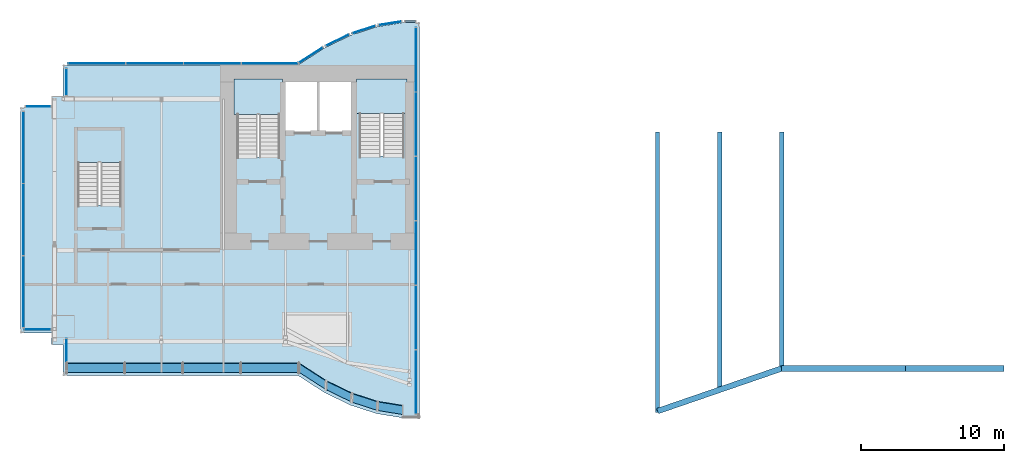
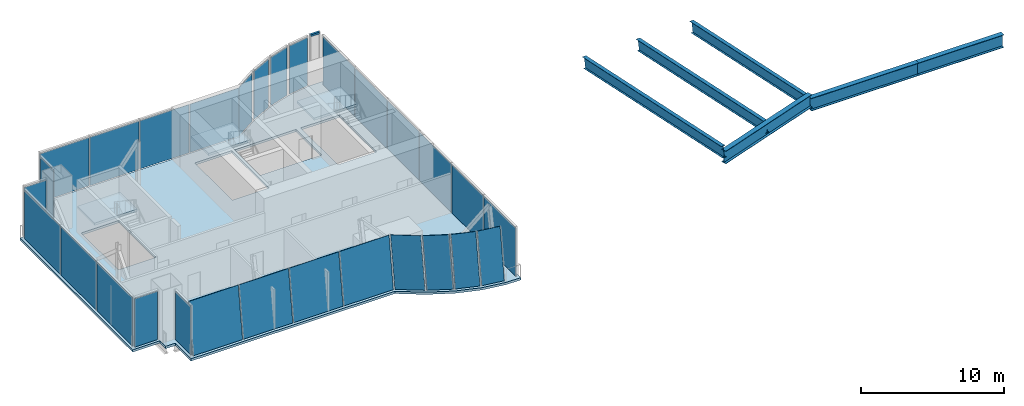
# One storey, part 3 of 7: 29 plates, 6 beams, 4 slabs, 1 member, 20 elements without a shape of their own.
"""IFC4 building model written with IfcOpenShell, lengths in metres."""

from ifc_helpers import new_model, si_unit, direction, frame, origin, origin_2d, place, context, subcontext, project, spatial, polyline, rectangle, i_section, outline, extrude, material, layer, layer_set, material_profile, profile_set, type_object, element, aggregate, save


model = new_model("IFC4")

# Units and contexts
model_context = context("Model", 3, precision=1e-05, world=origin(), true_north=direction((0.0, 1.0)))
body_context = subcontext(model_context, "Body", "Model", "MODEL_VIEW")
ifc_project = project(units=[si_unit("LENGTHUNIT", "METRE"), si_unit("AREAUNIT", "SQUARE_METRE"), si_unit("VOLUMEUNIT", "CUBIC_METRE"), si_unit("PLANEANGLEUNIT", "RADIAN"), si_unit("MASSUNIT", "GRAM", prefix="KILO")], contexts=[model_context])

# Site, building, storey
site_placement = place(None, origin())
site = spatial("IfcSite", under=ifc_project, at=site_placement, CompositionType="ELEMENT")
building_placement = place(site_placement, origin())
building = spatial("IfcBuilding", under=site, at=building_placement, Name="Bicima Exchange Tower", CompositionType="ELEMENT")
storey_placement = place(building_placement, frame((0.0, 0.0, 361.39990234375)))
storey = spatial("IfcBuildingStorey", under=building, at=storey_placement, Name="L81", CompositionType="ELEMENT", Elevation=361.39990234375)

# Curtain wall, member
ifc_material_1 = material(Name="Anodised bronze aluminium", Category="aluminium")
curtain_wall_type = type_object("IfcCurtainWallType", Name="Crown glass wall", PredefinedType="NOTDEFINED", material=ifc_material_1)
curtain_wall_1_placement = place(storey_placement, origin())
curtain_wall_1 = element("IfcCurtainWall", 1, at=curtain_wall_1_placement, inside=storey, type_object=curtain_wall_type, Name="Crown glass wall L81 run 3", PredefinedType="NOTDEFINED")
ifc_material_profile_1 = material_profile(ifc_material_1, rectangle(XDim=0.179931640625, YDim=0.159912109375, at=origin_2d()))
ifc_profile_set_1 = profile_set([ifc_material_profile_1], Name="Anodised bronze aluminium")
member_type = type_object("IfcMemberType", Name="Crown glass wall transom 160 x 180", PredefinedType="USERDEFINED", material=ifc_profile_set_1)
member_placement = place(storey_placement, frame((-8.2900390625, 3.052978515625, 4.22021484375), z_axis=(-1.0, 0.0, 0.0), x_axis=(0.0, -1.0, 0.0)))
member = element("IfcMember", 2, at=member_placement, type_object=member_type, Name="Crown glass wall transom 1.1", ObjectType="TRANSOM", PredefinedType="USERDEFINED", context=body_context, shape_type="SweptSolid", body=[
    extrude(rectangle(XDim=0.179931640625, YDim=0.159912109375, at=origin_2d()), origin(), (0.0, 0.0, 1.0), 0.708251953125),
])
aggregate(curtain_wall_1, [member])

# Beams
ifc_material_2 = material(Name="Steel ASTM A992 Gr 50", Category="steel")
ifc_material_profile_2 = material_profile(ifc_material_2, i_section(OverallWidth=0.4013671875, OverallDepth=1.089599609375, WebThickness=0.01806640625, FlangeThickness=0.031005859375, at=origin_2d()))
ifc_profile_set_2 = profile_set([ifc_material_profile_2], Name="Steel ASTM A992 Gr 50")
beam_type_1 = type_object("IfcBeamType", Name="Roof high beam W44x230", PredefinedType="BEAM", material=ifc_profile_set_2)
beam_1_placement = place(storey_placement, frame((8.699951171875, -24.291015625, 4.22705078125), z_axis=(0.945674616091, 0.32511462668, 0.0), x_axis=(-0.32511462668, 0.945674616091, 0.0)))
element("IfcBeam", 3, at=beam_1_placement, inside=storey, type_object=beam_type_1, Name="Roof high beam", PredefinedType="BEAM", context=body_context, shape_type="SweptSolid", body=[
    extrude(i_section(OverallWidth=0.4013671875, OverallDepth=1.089599609375, WebThickness=0.01806640625, FlangeThickness=0.031005859375, at=origin_2d()), origin(), (0.0, 0.0, 1.0), 9.19970703125),
])
beam_2_placement = place(storey_placement, frame((17.39990234375, -21.300048828125, 3.9091796875), z_axis=(1.0, 0.0, 0.0), x_axis=(0.0, 1.0, 0.0)))
element("IfcBeam", 4, at=beam_2_placement, inside=storey, type_object=beam_type_1, Name="Roof high beam", PredefinedType="BEAM", context=body_context, shape_type="SweptSolid", body=[
    extrude(i_section(OverallWidth=0.4013671875, OverallDepth=1.089599609375, WebThickness=0.01806640625, FlangeThickness=0.031005859375, at=origin_2d()), origin(), (0.0, 0.0, 1.0), 8.7001953125),
])
beam_3_placement = place(storey_placement, frame((26.10009765625, -21.300048828125, 3.9091796875), z_axis=(1.0, 0.0, 0.0), x_axis=(0.0, 1.0, 0.0)))
element("IfcBeam", 5, at=beam_3_placement, inside=storey, type_object=beam_type_1, Name="Roof high beam", PredefinedType="BEAM", context=body_context, shape_type="SweptSolid", body=[
    extrude(i_section(OverallWidth=0.4013671875, OverallDepth=1.089599609375, WebThickness=0.01806640625, FlangeThickness=0.031005859375, at=origin_2d()), origin(), (0.0, 0.0, 1.0), 6.89990234375),
])
ifc_material_profile_3 = material_profile(ifc_material_2, i_section(OverallWidth=0.3046875, OverallDepth=0.904296875, WebThickness=0.01513671875, FlangeThickness=0.02001953125, at=origin_2d()))
ifc_profile_set_3 = profile_set([ifc_material_profile_3], Name="Steel ASTM A992 Gr 50")
beam_type_2 = type_object("IfcBeamType", Name="Roof rafter beam W36x135", PredefinedType="BEAM", material=ifc_profile_set_3)
beam_4_placement = place(storey_placement, frame((8.699951171875, -4.800048828125, 0.494873046875), z_axis=(0.0, -0.978148729709, 0.207906379338), x_axis=(1.0, 0.0, 0.0)))
element("IfcBeam", 6, at=beam_4_placement, inside=storey, type_object=beam_type_2, Name="Roof rafter beam", PredefinedType="BEAM", context=body_context, shape_type="SweptSolid", body=[
    extrude(i_section(OverallWidth=0.3046875, OverallDepth=0.904296875, WebThickness=0.01513671875, FlangeThickness=0.02001953125, at=origin_2d()), origin(), (0.0, 0.0, 1.0), 19.92626953125),
])
beam_5_placement = place(storey_placement, frame((13.050048828125, -4.800048828125, 0.494873046875), z_axis=(0.0, -0.978148495652, 0.207907480516), x_axis=(1.0, 0.0, 0.0)))
element("IfcBeam", 7, at=beam_5_placement, inside=storey, type_object=beam_type_2, Name="Roof rafter beam", PredefinedType="BEAM", context=body_context, shape_type="SweptSolid", body=[
    extrude(i_section(OverallWidth=0.3046875, OverallDepth=0.904296875, WebThickness=0.01513671875, FlangeThickness=0.02001953125, at=origin_2d()), origin(), (0.0, 0.0, 1.0), 18.3974609375),
])
beam_6_placement = place(storey_placement, frame((17.39990234375, -4.800048828125, 0.494873046875), z_axis=(0.0, -0.978148844771, 0.207905837996), x_axis=(1.0, 0.0, 0.0)))
element("IfcBeam", 8, at=beam_6_placement, inside=storey, type_object=beam_type_2, Name="Roof rafter beam", PredefinedType="BEAM", context=body_context, shape_type="SweptSolid", body=[
    extrude(i_section(OverallWidth=0.3046875, OverallDepth=0.904296875, WebThickness=0.01513671875, FlangeThickness=0.02001953125, at=origin_2d()), origin(), (0.0, 0.0, 1.0), 16.86865234375),
])

# Slab
ifc_material_3 = material(Name="Concrete C40/50", Category="concrete")
ifc_layer_1 = layer(ifc_material_3, 0.199951171875)
ifc_layer_set_1 = layer_set([ifc_layer_1], Name="Concrete C40/50")
slab_type_1 = type_object("IfcSlabType", Name="Composite floor slab 200", PredefinedType="FLOOR", material=ifc_layer_set_1)
slab_1_placement = place(storey_placement, frame((0.0, 0.0, -0.199951171875)))
element("IfcSlab", 9, at=slab_1_placement, inside=storey, type_object=slab_type_1, Name="Floor slab", PredefinedType="FLOOR", context=body_context, shape_type="SweptSolid", body=[
    extrude(outline(polyline([(-33.800048828125, -18.802734375), (-36.0, -18.802734375), (-36.0, -3.0), (-33.800048828125, -3.0), (-33.800048828125, -2.199951171875), (-33.0, -2.199951171875), (-33.0, 0.0), (-16.5, 0.0), (-14.666748046875, 1.185302734375), (-12.833251953125, 2.07421875), (-11.0, 2.666748046875), (-9.166748046875, 2.962890625), (-8.0, 2.962890625), (-8.0, -24.765625), (-9.166748046875, -24.765625), (-11.0, -24.469482421875), (-12.833251953125, -23.876708984375), (-14.666748046875, -22.98779296875), (-16.5, -21.802734375), (-33.0, -21.802734375), (-33.0, -19.602783203125), (-33.800048828125, -19.602783203125), (-33.800048828125, -18.802734375)]), holes=[polyline([(-28.925048828125, -4.625), (-31.97509765625, -4.625), (-31.97509765625, -9.824951171875), (-28.925048828125, -9.824951171875), (-28.925048828125, -4.625)]), polyline([(-17.800048828125, -1.199951171875), (-20.800048828125, -1.199951171875), (-20.800048828125, -6.449951171875), (-17.800048828125, -6.449951171875), (-17.800048828125, -1.199951171875)]), polyline([(-9.074951171875, -1.199951171875), (-12.22509765625, -1.199951171875), (-12.22509765625, -6.39990234375), (-9.074951171875, -6.39990234375), (-9.074951171875, -1.199951171875)]), polyline([(-12.60009765625, -1.199951171875), (-15.10009765625, -1.199951171875), (-17.60009765625, -1.199951171875), (-17.60009765625, -4.800048828125), (-15.10009765625, -4.800048828125), (-12.60009765625, -4.800048828125), (-12.60009765625, -1.199951171875)])]), origin(), (0.0, 0.0, 1.0), 0.199951171875),
])

# Curtain wall, plates
curtain_wall_2_placement = place(storey_placement, origin())
curtain_wall_2 = element("IfcCurtainWall", 10, at=curtain_wall_2_placement, inside=storey, type_object=curtain_wall_type, Name="Crown glass wall L81 run 2", PredefinedType="NOTDEFINED")
ifc_material_4 = material(Name="Bronze tinted glass", Category="glass")
ifc_layer_2 = layer(ifc_material_4, 0.035888671875)
ifc_layer_set_2 = layer_set([ifc_layer_2], Name="Bronze tinted glass")
plate_type = type_object("IfcPlateType", Name="Crown glass wall glass panel 36", PredefinedType="CURTAIN_PANEL", material=ifc_layer_set_2)
plate_1_placement = place(storey_placement, frame((-8.22998046875, -22.245849609375, 0.0), z_axis=(0.0, 0.0, 1.0), x_axis=(0.0, 1.0, 0.0)))
plate_1 = element("IfcPlate", 11, at=plate_1_placement, type_object=plate_type, Name="Crown glass wall panel 1.1", PredefinedType="CURTAIN_PANEL", context=body_context, shape_type="SweptSolid", body=[
    extrude(rectangle(XDim=4.459716796875, YDim=0.035888671875, at=origin_2d()), origin(), (0.0, 0.0, 1.0), 4.139892578125),
])
plate_2_placement = place(storey_placement, frame((-8.22998046875, -17.72607421875, 0.0), z_axis=(0.0, 0.0, 1.0), x_axis=(0.0, 1.0, 0.0)))
plate_2 = element("IfcPlate", 12, at=plate_2_placement, type_object=plate_type, Name="Crown glass wall panel 2.1", PredefinedType="CURTAIN_PANEL", context=body_context, shape_type="SweptSolid", body=[
    extrude(rectangle(XDim=4.459716796875, YDim=0.035888671875, at=origin_2d()), origin(), (0.0, 0.0, 1.0), 4.139892578125),
])
plate_3_placement = place(storey_placement, frame((-8.22998046875, -13.206298828125, 0.0), z_axis=(0.0, 0.0, 1.0), x_axis=(0.0, 1.0, 0.0)))
plate_3 = element("IfcPlate", 13, at=plate_3_placement, type_object=plate_type, Name="Crown glass wall panel 3.1", PredefinedType="CURTAIN_PANEL", context=body_context, shape_type="SweptSolid", body=[
    extrude(rectangle(XDim=4.459716796875, YDim=0.035888671875, at=origin_2d()), origin(), (0.0, 0.0, 1.0), 4.139892578125),
])
plate_4_placement = place(storey_placement, frame((-8.22998046875, -8.6865234375, 0.0), z_axis=(0.0, 0.0, 1.0), x_axis=(0.0, 1.0, 0.0)))
plate_4 = element("IfcPlate", 14, at=plate_4_placement, type_object=plate_type, Name="Crown glass wall panel 4.1", PredefinedType="CURTAIN_PANEL", context=body_context, shape_type="SweptSolid", body=[
    extrude(rectangle(XDim=4.459716796875, YDim=0.035888671875, at=origin_2d()), origin(), (0.0, 0.0, 1.0), 4.139892578125),
])
plate_5_placement = place(storey_placement, frame((-8.22998046875, -4.166748046875, 0.0), z_axis=(0.0, 0.0, 1.0), x_axis=(0.0, 1.0, 0.0)))
plate_5 = element("IfcPlate", 15, at=plate_5_placement, type_object=plate_type, Name="Crown glass wall panel 5.1", PredefinedType="CURTAIN_PANEL", context=body_context, shape_type="SweptSolid", body=[
    extrude(rectangle(XDim=4.459716796875, YDim=0.035888671875, at=origin_2d()), origin(), (0.0, 0.0, 1.0), 4.139892578125),
])
plate_6_placement = place(storey_placement, frame((-8.22998046875, 0.35302734375, 0.0), z_axis=(0.0, 0.0, 1.0), x_axis=(0.0, 1.0, 0.0)))
plate_6 = element("IfcPlate", 16, at=plate_6_placement, type_object=plate_type, Name="Crown glass wall panel 6.1", PredefinedType="CURTAIN_PANEL", context=body_context, shape_type="SweptSolid", body=[
    extrude(rectangle(XDim=4.459716796875, YDim=0.035888671875, at=origin_2d()), origin(), (0.0, 0.0, 1.0), 4.139892578125),
])
aggregate(curtain_wall_2, [plate_1, plate_2, plate_3, plate_4, plate_5, plate_6])

# Curtain wall, plate
curtain_wall_3_placement = place(storey_placement, origin())
curtain_wall_3 = element("IfcCurtainWall", 17, at=curtain_wall_3_placement, inside=storey, type_object=curtain_wall_type, Name="Crown glass wall L81 run 4", PredefinedType="NOTDEFINED")
plate_7_placement = place(storey_placement, frame((-10.0537109375, 2.910888671875, 0.0), z_axis=(0.0, 0.0, 1.0), x_axis=(-0.987189786347, -0.159550386184, 0.0)))
plate_7 = element("IfcPlate", 18, at=plate_7_placement, type_object=plate_type, Name="Crown glass wall panel 1.1", PredefinedType="CURTAIN_PANEL", context=body_context, shape_type="SweptSolid", body=[
    extrude(rectangle(XDim=1.611083984375, YDim=0.035888671875, at=origin_2d()), origin(), (0.0, 0.0, 1.0), 4.139892578125),
])
aggregate(curtain_wall_3, [plate_7])

curtain_wall_4_placement = place(storey_placement, origin())
curtain_wall_4 = element("IfcCurtainWall", 19, at=curtain_wall_4_placement, inside=storey, type_object=curtain_wall_type, Name="Crown glass wall L81 run 5", PredefinedType="NOTDEFINED")
plate_8_placement = place(storey_placement, frame((-11.90234375, 2.469482421875, 0.0), z_axis=(0.0, 0.0, 1.0), x_axis=(-0.951524642381, -0.307572519808, 0.0)))
plate_8 = element("IfcPlate", 20, at=plate_8_placement, type_object=plate_type, Name="Crown glass wall panel 1.1", PredefinedType="CURTAIN_PANEL", context=body_context, shape_type="SweptSolid", body=[
    extrude(rectangle(XDim=1.68310546875, YDim=0.035888671875, at=origin_2d()), origin(), (0.0, 0.0, 1.0), 4.139892578125),
])
aggregate(curtain_wall_4, [plate_8])

curtain_wall_5_placement = place(storey_placement, origin())
curtain_wall_5 = element("IfcCurtainWall", 21, at=curtain_wall_5_placement, inside=storey, type_object=curtain_wall_type, Name="Crown glass wall L81 run 6", PredefinedType="NOTDEFINED")
plate_9_placement = place(storey_placement, frame((-13.74951171875, 1.72998046875, 0.0), z_axis=(0.0, 0.0, 1.0), x_axis=(-0.899818346812, -0.436264762204, 0.0)))
plate_9 = element("IfcPlate", 22, at=plate_9_placement, type_object=plate_type, Name="Crown glass wall panel 1.1", PredefinedType="CURTAIN_PANEL", context=body_context, shape_type="SweptSolid", body=[
    extrude(rectangle(XDim=1.79736328125, YDim=0.035888671875, at=origin_2d()), origin(), (0.0, 0.0, 1.0), 4.139892578125),
])
aggregate(curtain_wall_5, [plate_9])

curtain_wall_6_placement = place(storey_placement, origin())
curtain_wall_6 = element("IfcCurtainWall", 23, at=curtain_wall_6_placement, inside=storey, type_object=curtain_wall_type, Name="Crown glass wall L81 run 7", PredefinedType="NOTDEFINED")
plate_10_placement = place(storey_placement, frame((-15.62890625, 0.67041015625, 0.0), z_axis=(0.0, 0.0, 1.0), x_axis=(-0.839790466384, -0.542910648791, 0.0)))
plate_10 = element("IfcPlate", 24, at=plate_10_placement, type_object=plate_type, Name="Crown glass wall panel 1.1", PredefinedType="CURTAIN_PANEL", context=body_context, shape_type="SweptSolid", body=[
    extrude(rectangle(XDim=2.02685546875, YDim=0.035888671875, at=origin_2d()), origin(), (0.0, 0.0, 1.0), 4.139892578125),
])
aggregate(curtain_wall_6, [plate_10])

# Curtain wall, plates
curtain_wall_7_placement = place(storey_placement, origin())
curtain_wall_7 = element("IfcCurtainWall", 25, at=curtain_wall_7_placement, inside=storey, type_object=curtain_wall_type, Name="Crown glass wall L81 run 8", PredefinedType="NOTDEFINED")
plate_11_placement = place(storey_placement, frame((-18.485595703125, 0.090087890625, 0.0), z_axis=(0.0, 0.0, 1.0), x_axis=(-1.0, 0.0, 0.0)))
plate_11 = element("IfcPlate", 26, at=plate_11_placement, type_object=plate_type, Name="Crown glass wall panel 1.1", PredefinedType="CURTAIN_PANEL", context=body_context, shape_type="SweptSolid", body=[
    extrude(rectangle(XDim=3.987060546875, YDim=0.035888671875, at=origin_2d()), origin(), (0.0, 0.0, 1.0), 4.139892578125),
])
plate_12_placement = place(storey_placement, frame((-22.53271484375, 0.090087890625, 0.0), z_axis=(0.0, 0.0, 1.0), x_axis=(-1.0, 0.0, 0.0)))
plate_12 = element("IfcPlate", 27, at=plate_12_placement, type_object=plate_type, Name="Crown glass wall panel 2.1", PredefinedType="CURTAIN_PANEL", context=body_context, shape_type="SweptSolid", body=[
    extrude(rectangle(XDim=3.987060546875, YDim=0.035888671875, at=origin_2d()), origin(), (0.0, 0.0, 1.0), 4.139892578125),
])
plate_13_placement = place(storey_placement, frame((-26.57958984375, 0.090087890625, 0.0), z_axis=(0.0, 0.0, 1.0), x_axis=(-1.0, 0.0, 0.0)))
plate_13 = element("IfcPlate", 28, at=plate_13_placement, type_object=plate_type, Name="Crown glass wall panel 3.1", PredefinedType="CURTAIN_PANEL", context=body_context, shape_type="SweptSolid", body=[
    extrude(rectangle(XDim=3.987060546875, YDim=0.035888671875, at=origin_2d()), origin(), (0.0, 0.0, 1.0), 4.139892578125),
])
plate_14_placement = place(storey_placement, frame((-30.62646484375, 0.090087890625, 0.0), z_axis=(0.0, 0.0, 1.0), x_axis=(-1.0, 0.0, 0.0)))
plate_14 = element("IfcPlate", 29, at=plate_14_placement, type_object=plate_type, Name="Crown glass wall panel 4.1", PredefinedType="CURTAIN_PANEL", context=body_context, shape_type="SweptSolid", body=[
    extrude(rectangle(XDim=3.987060546875, YDim=0.035888671875, at=origin_2d()), origin(), (0.0, 0.0, 1.0), 4.139892578125),
])
aggregate(curtain_wall_7, [plate_11, plate_12, plate_13, plate_14])

# Curtain wall, plate
curtain_wall_8_placement = place(storey_placement, origin())
curtain_wall_8 = element("IfcCurtainWall", 30, at=curtain_wall_8_placement, inside=storey, type_object=curtain_wall_type, Name="Crown glass wall L81 run 9", PredefinedType="NOTDEFINED")
plate_15_placement = place(storey_placement, frame((-32.77001953125, -1.215087890625, 0.0), z_axis=(0.0, 0.0, 1.0), x_axis=(0.0, -1.0, 0.0)))
plate_15 = element("IfcPlate", 31, at=plate_15_placement, type_object=plate_type, Name="Crown glass wall panel 1.1", PredefinedType="CURTAIN_PANEL", context=body_context, shape_type="SweptSolid", body=[
    extrude(rectangle(XDim=1.85009765625, YDim=0.035888671875, at=origin_2d()), origin(), (0.0, 0.0, 1.0), 4.139892578125),
])
aggregate(curtain_wall_8, [plate_15])

curtain_wall_9_placement = place(storey_placement, origin())
curtain_wall_9 = element("IfcCurtainWall", 32, at=curtain_wall_9_placement, inside=storey, type_object=curtain_wall_type, Name="Crown glass wall L81 run 10", PredefinedType="NOTDEFINED")
plate_16_placement = place(storey_placement, frame((-34.739990234375, -2.909912109375, 0.0), z_axis=(0.0, 0.0, 1.0), x_axis=(-1.0, 0.0, 0.0)))
plate_16 = element("IfcPlate", 33, at=plate_16_placement, type_object=plate_type, Name="Crown glass wall panel 1.1", PredefinedType="CURTAIN_PANEL", context=body_context, shape_type="SweptSolid", body=[
    extrude(rectangle(XDim=1.760009765625, YDim=0.035888671875, at=origin_2d()), origin(), (0.0, 0.0, 1.0), 4.139892578125),
])
aggregate(curtain_wall_9, [plate_16])

# Curtain wall, plates
curtain_wall_10_placement = place(storey_placement, origin())
curtain_wall_10 = element("IfcCurtainWall", 34, at=curtain_wall_10_placement, inside=storey, type_object=curtain_wall_type, Name="Crown glass wall L81 run 11", PredefinedType="NOTDEFINED")
plate_17_placement = place(storey_placement, frame((-35.77001953125, -5.7919921875, 0.0), z_axis=(0.0, 0.0, 1.0), x_axis=(0.0, -1.0, 0.0)))
plate_17 = element("IfcPlate", 35, at=plate_17_placement, type_object=plate_type, Name="Crown glass wall panel 1.1", PredefinedType="CURTAIN_PANEL", context=body_context, shape_type="SweptSolid", body=[
    extrude(rectangle(XDim=5.004150390625, YDim=0.035888671875, at=origin_2d()), origin(), (0.0, 0.0, 1.0), 4.139892578125),
])
plate_18_placement = place(storey_placement, frame((-35.77001953125, -10.8564453125, 0.0), z_axis=(0.0, 0.0, 1.0), x_axis=(0.0, -1.0, 0.0)))
plate_18 = element("IfcPlate", 36, at=plate_18_placement, type_object=plate_type, Name="Crown glass wall panel 2.1", PredefinedType="CURTAIN_PANEL", context=body_context, shape_type="SweptSolid", body=[
    extrude(rectangle(XDim=5.004150390625, YDim=0.035888671875, at=origin_2d()), origin(), (0.0, 0.0, 1.0), 4.139892578125),
])
plate_19_placement = place(storey_placement, frame((-35.77001953125, -15.920654296875, 0.0), z_axis=(0.0, 0.0, 1.0), x_axis=(0.0, -1.0, 0.0)))
plate_19 = element("IfcPlate", 37, at=plate_19_placement, type_object=plate_type, Name="Crown glass wall panel 3.1", PredefinedType="CURTAIN_PANEL", context=body_context, shape_type="SweptSolid", body=[
    extrude(rectangle(XDim=5.004150390625, YDim=0.035888671875, at=origin_2d()), origin(), (0.0, 0.0, 1.0), 4.139892578125),
])
aggregate(curtain_wall_10, [plate_17, plate_18, plate_19])

# Curtain wall, plate
curtain_wall_11_placement = place(storey_placement, origin())
curtain_wall_11 = element("IfcCurtainWall", 38, at=curtain_wall_11_placement, inside=storey, type_object=curtain_wall_type, Name="Crown glass wall L81 run 12", PredefinedType="NOTDEFINED")
plate_20_placement = place(storey_placement, frame((-34.784912109375, -18.57275390625, 0.0), z_axis=(0.0, 0.0, 1.0), x_axis=(1.0, 0.0, 0.0)))
plate_20 = element("IfcPlate", 39, at=plate_20_placement, type_object=plate_type, Name="Crown glass wall panel 1.1", PredefinedType="CURTAIN_PANEL", context=body_context, shape_type="SweptSolid", body=[
    extrude(rectangle(XDim=1.85009765625, YDim=0.035888671875, at=origin_2d()), origin(), (0.0, 0.0, 1.0), 4.139892578125),
])
aggregate(curtain_wall_11, [plate_20])

curtain_wall_12_placement = place(storey_placement, origin())
curtain_wall_12 = element("IfcCurtainWall", 40, at=curtain_wall_12_placement, inside=storey, type_object=curtain_wall_type, Name="Crown glass wall L81 run 13", PredefinedType="NOTDEFINED")
plate_21_placement = place(storey_placement, frame((-32.77001953125, -20.323486328125, 0.0), z_axis=(0.0, 0.0, 1.0), x_axis=(0.0, -1.0, 0.0)))
plate_21 = element("IfcPlate", 41, at=plate_21_placement, type_object=plate_type, Name="Crown glass wall panel 1.1", PredefinedType="CURTAIN_PANEL", context=body_context, shape_type="SweptSolid", body=[
    extrude(rectangle(XDim=2.1982421875, YDim=0.035888671875, at=origin_2d()), origin(), (0.0, 0.0, 1.0), 4.139892578125),
])
aggregate(curtain_wall_12, [plate_21])

# Curtain wall, plates
curtain_wall_13_placement = place(storey_placement, origin())
curtain_wall_13 = element("IfcCurtainWall", 42, at=curtain_wall_13_placement, inside=storey, type_object=curtain_wall_type, Name="Crown tilted glass L81 14.1", PredefinedType="NOTDEFINED")
plate_22_placement = place(storey_placement, frame((-32.7099609375, -21.57275390625, 0.0), z_axis=(0.0, -0.99027074745, 0.139154039626), x_axis=(1.0, 0.0, 0.0)))
plate_22 = element("IfcPlate", 43, at=plate_22_placement, type_object=plate_type, Name="Crown tilted glass panel 1", PredefinedType="CURTAIN_PANEL", context=body_context, shape_type="SweptSolid", body=[
    extrude(outline(polyline([(0.0, 0.0), (4.009521484375, 0.0), (4.009521484375, 4.342296123758884), (0.0, 4.342296123758884), (0.0, 0.0)])), origin(), (0.0, 0.0, -1.0), 0.035888671875),
])
plate_23_placement = place(storey_placement, frame((-28.640380859375, -21.57275390625, 0.0), z_axis=(0.0, -0.99027074745, 0.139154039626), x_axis=(1.0, 0.0, 0.0)))
plate_23 = element("IfcPlate", 44, at=plate_23_placement, type_object=plate_type, Name="Crown tilted glass panel 2", PredefinedType="CURTAIN_PANEL", context=body_context, shape_type="SweptSolid", body=[
    extrude(outline(polyline([(0.0, 0.0), (4.00927734375, 0.0), (4.00927734375, 4.342296123758885), (0.0, 4.342296123758885), (0.0, 0.0)])), origin(), (0.0, 0.0, -1.0), 0.035888671875),
])
plate_24_placement = place(storey_placement, frame((-24.571044921875, -21.57275390625, 0.0), z_axis=(0.0, -0.99027074745, 0.139154039626), x_axis=(1.0, 0.0, 0.0)))
plate_24 = element("IfcPlate", 45, at=plate_24_placement, type_object=plate_type, Name="Crown tilted glass panel 3", PredefinedType="CURTAIN_PANEL", context=body_context, shape_type="SweptSolid", body=[
    extrude(outline(polyline([(0.0, 0.0), (4.009521484375, 0.0), (4.009521484375, 4.342296123758884), (0.0, 4.342296123758884), (0.0, 0.0)])), origin(), (0.0, 0.0, -1.0), 0.035888671875),
])
plate_25_placement = place(storey_placement, frame((-20.501708984375, -21.57275390625, 0.0), z_axis=(0.0, -0.99027074745, 0.139154039626), x_axis=(1.0, 0.0, 0.0)))
plate_25 = element("IfcPlate", 46, at=plate_25_placement, type_object=plate_type, Name="Crown tilted glass panel 4", PredefinedType="CURTAIN_PANEL", context=body_context, shape_type="SweptSolid", body=[
    extrude(outline(polyline([(0.0, 0.0), (4.009521484375, 0.0), (4.009521484375, 4.342296123758884), (0.0, 4.342296123758884), (0.0, 0.0)])), origin(), (0.0, 0.0, -1.0), 0.035888671875),
])
aggregate(curtain_wall_13, [plate_22, plate_23, plate_24, plate_25])

# Curtain wall, plate
curtain_wall_14_placement = place(storey_placement, origin())
curtain_wall_14 = element("IfcCurtainWall", 47, at=curtain_wall_14_placement, inside=storey, type_object=curtain_wall_type, Name="Crown tilted glass L81 15.1", PredefinedType="NOTDEFINED")
plate_26_placement = place(storey_placement, frame((-16.381591796875, -21.605224609375, 0.0), z_axis=(-0.539165654142, -0.834005763291, 0.117195495608), x_axis=(0.839792890287, -0.542906899407, 0.0)))
plate_26 = element("IfcPlate", 48, at=plate_26_placement, type_object=plate_type, Name="Crown tilted glass panel 1", PredefinedType="CURTAIN_PANEL", context=body_context, shape_type="SweptSolid", body=[
    extrude(outline(polyline([(0.0, 0.0), (2.116697951583747, 0.0), (1.7886475179822423, 4.3298866658869155), (-0.3280504336015047, 4.3298866658869155), (0.0, 0.0)])), origin(), (0.0, 0.0, -1.0), 0.035888671875),
])
aggregate(curtain_wall_14, [plate_26])

curtain_wall_15_placement = place(storey_placement, origin())
curtain_wall_15 = element("IfcCurtainWall", 49, at=curtain_wall_15_placement, inside=storey, type_object=curtain_wall_type, Name="Crown tilted glass L81 16.1", PredefinedType="NOTDEFINED")
plate_27_placement = place(storey_placement, frame((-14.499755859375, -22.813232421875, 0.0), z_axis=(-0.432817763819, -0.892710697566, 0.125444783766), x_axis=(0.899818722999, -0.436263986298, 0.0)))
plate_27 = element("IfcPlate", 50, at=plate_27_placement, type_object=plate_type, Name="Crown tilted glass panel 1", PredefinedType="CURTAIN_PANEL", context=body_context, shape_type="SweptSolid", body=[
    extrude(outline(polyline([(0.0, 0.0), (1.8875872269742504, 0.0), (1.623975565331774, 4.334287083045785), (-0.26361166164247657, 4.334287083045785), (0.0, 0.0)])), origin(), (0.0, 0.0, -1.0), 0.035888671875),
])
aggregate(curtain_wall_15, [plate_27])

curtain_wall_16_placement = place(storey_placement, origin())
curtain_wall_16 = element("IfcCurtainWall", 51, at=curtain_wall_16_placement, inside=storey, type_object=curtain_wall_type, Name="Crown tilted glass L81 17.1", PredefinedType="NOTDEFINED")
plate_28_placement = place(storey_placement, frame((-12.690185546875, -23.681396484375, 0.0), z_axis=(-0.304906691837, -0.943108881198, 0.132580343487), x_axis=(0.951508549588, -0.307622300981, 0.0)))
plate_28 = element("IfcPlate", 52, at=plate_28_placement, type_object=plate_type, Name="Crown tilted glass panel 1", PredefinedType="CURTAIN_PANEL", context=body_context, shape_type="SweptSolid", body=[
    extrude(outline(polyline([(0.0, 0.0), (1.772986400889888, 0.0), (1.587031123246021, 4.338346616364824), (-0.18595527764386685, 4.338346616364824), (0.0, 0.0)])), origin(), (0.0, 0.0, -1.0), 0.035888671875),
])
aggregate(curtain_wall_16, [plate_28])

curtain_wall_17_placement = place(storey_placement, origin())
curtain_wall_17 = element("IfcCurtainWall", 53, at=curtain_wall_17_placement, inside=storey, type_object=curtain_wall_type, Name="Crown tilted glass L81 18.1", PredefinedType="NOTDEFINED")
plate_29_placement = place(storey_placement, frame((-10.88671875, -24.254638671875, 0.0), z_axis=(-0.158088635796, -0.977818018892, 0.137404167192), x_axis=(0.987181369594, -0.159602454636, 0.0)))
plate_29 = element("IfcPlate", 54, at=plate_29_placement, type_object=plate_type, Name="Crown tilted glass panel 1", PredefinedType="CURTAIN_PANEL", context=body_context, shape_type="SweptSolid", body=[
    extrude(outline(polyline([(0.0, 0.0), (1.7010037572326968, -6.938893903907228e-18), (1.6045642857422238, 4.34122506382128), (-0.09643947149047298, 4.34122506382128), (0.0, 0.0)])), origin(), (0.0, 0.0, -1.0), 0.035888671875),
])
aggregate(curtain_wall_17, [plate_29])

# Stair, slab
ifc_material_5 = material(Name="Concrete C50/60", Category="concrete")
stair_type_1 = type_object("IfcStairType", Name="Exit stair", PredefinedType="HALF_TURN_STAIR", material=ifc_material_5)
stair_1_placement = place(storey_placement, origin())
stair_1 = element("IfcStair", 55, at=stair_1_placement, inside=storey, type_object=stair_type_1, Name="L81 West exit stair", PredefinedType="HALF_TURN_STAIR")
ifc_layer_3 = layer(ifc_material_5, 0.199951171875)
ifc_layer_set_3 = layer_set([ifc_layer_3], Name="Concrete C50/60")
slab_type_2 = type_object("IfcSlabType", Name="Stair landing slab", PredefinedType="LANDING", material=ifc_layer_set_3)
slab_2_placement = place(storey_placement, frame((0.0, 0.0, 2.050048828125)))
slab_2 = element("IfcSlab", 56, at=slab_2_placement, type_object=slab_type_2, Name="ST-W landing 1", PredefinedType="LANDING", context=body_context, shape_type="SweptSolid", body=[
    extrude(outline(polyline([(-17.60009765625, -3.469970703125), (-17.60009765625, -1.0), (-21.0, -1.0), (-21.0, -3.469970703125), (-17.60009765625, -3.469970703125)])), origin(), (0.0, 0.0, 1.0), 0.199951171875),
])
aggregate(stair_1, [slab_2])

stair_type_2 = type_object("IfcStairType", Name="Exit stair 1500", PredefinedType="HALF_TURN_STAIR", material=ifc_material_5)
stair_2_placement = place(storey_placement, origin())
stair_2 = element("IfcStair", 57, at=stair_2_placement, inside=storey, type_object=stair_type_2, Name="L81 Crown exit stair", PredefinedType="HALF_TURN_STAIR")
slab_3_placement = place(storey_placement, frame((0.0, 0.0, 2.050048828125)))
slab_3 = element("IfcSlab", 58, at=slab_3_placement, type_object=slab_type_2, Name="ST-CR landing 1", PredefinedType="LANDING", context=body_context, shape_type="SweptSolid", body=[
    extrude(outline(polyline([(-8.875, -3.419921875), (-8.875, -1.0), (-12.425048828125, -1.0), (-12.425048828125, -3.419921875), (-8.875, -3.419921875)])), origin(), (0.0, 0.0, 1.0), 0.199951171875),
])
aggregate(stair_2, [slab_3])

stair_3_placement = place(storey_placement, origin())
stair_3 = element("IfcStair", 59, at=stair_3_placement, inside=storey, type_object=stair_type_1, Name="L81 West end exit stair", PredefinedType="HALF_TURN_STAIR")
slab_4_placement = place(storey_placement, frame((0.0, 0.0, 2.050048828125)))
slab_4 = element("IfcSlab", 60, at=slab_4_placement, type_object=slab_type_2, Name="ST-WW landing 1", PredefinedType="LANDING", context=body_context, shape_type="SweptSolid", body=[
    extrude(outline(polyline([(-28.72509765625, -6.844970703125), (-28.72509765625, -4.425048828125), (-32.175048828125, -4.425048828125), (-32.175048828125, -6.844970703125), (-28.72509765625, -6.844970703125)])), origin(), (0.0, 0.0, 1.0), 0.199951171875),
])
aggregate(stair_3, [slab_4])

save(model, "model.ifc")
